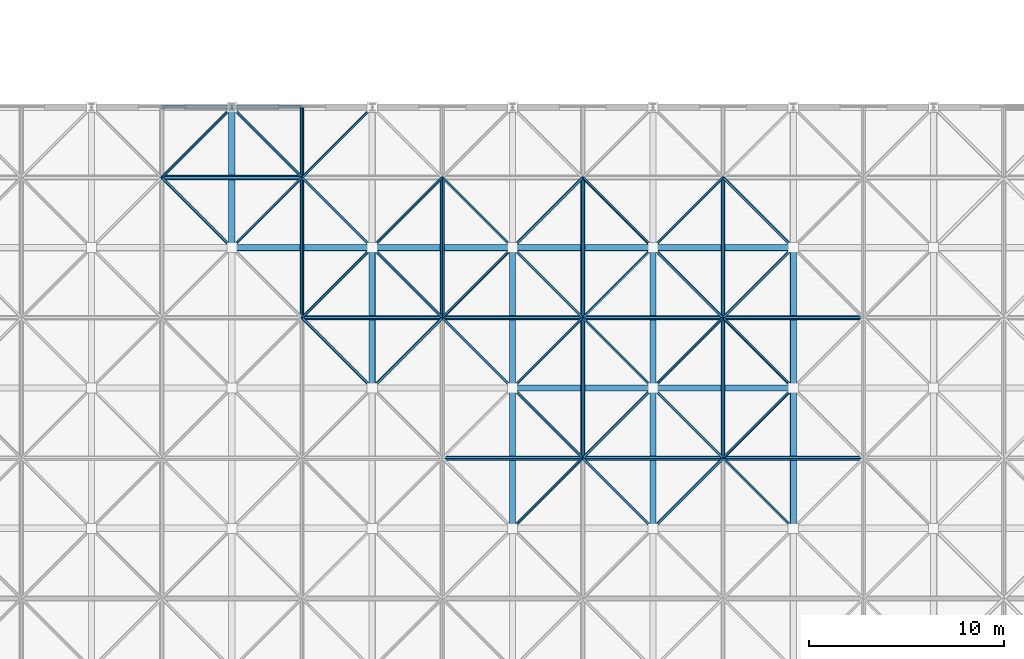
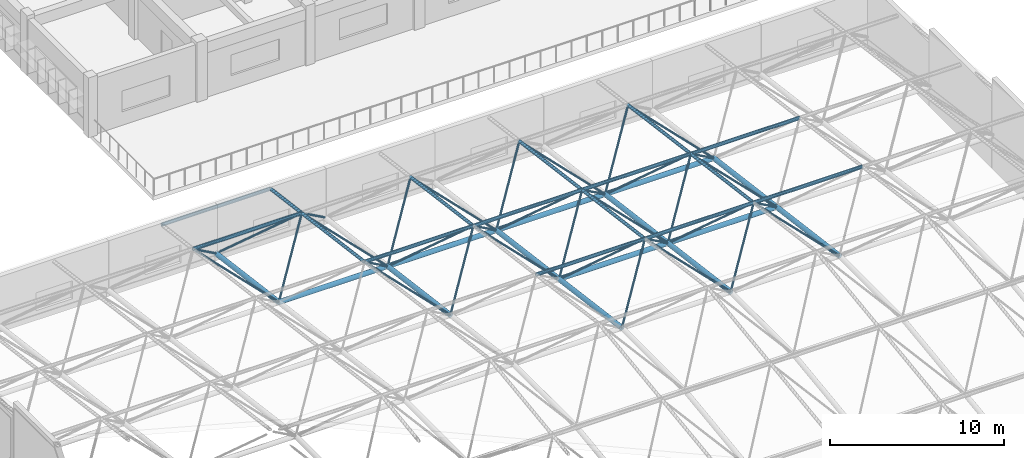
# One storey, part 56 of 103: 64 members.
"""IFC4 building model written with IfcOpenShell, lengths in metres."""

from ifc_helpers import new_model, si_unit, direction, frame, origin, origin_2d, place, context, subcontext, project, spatial, hollow_circle, extrude, material, material_profile, profile_set, type_object, element, save


model = new_model("IFC4")

# Units and contexts
model_context = context("Model", 3, precision=1e-05, world=origin(), true_north=direction((0.0, 1.0)))
body_context = subcontext(model_context, "Body", "Model", "MODEL_VIEW")
ifc_project = project(units=[si_unit("LENGTHUNIT", "METRE"), si_unit("AREAUNIT", "SQUARE_METRE"), si_unit("VOLUMEUNIT", "CUBIC_METRE"), si_unit("PLANEANGLEUNIT", "RADIAN"), si_unit("MASSUNIT", "GRAM", prefix="KILO")], contexts=[model_context])

# Site, building, storey
site_placement = place(None, origin())
site = spatial("IfcSite", under=ifc_project, at=site_placement, CompositionType="ELEMENT")
building_placement = place(site_placement, origin())
building = spatial("IfcBuilding", under=site, at=building_placement, Name="Thalmaran Polytechnic", CompositionType="ELEMENT")
storey_placement = place(building_placement, frame((0.0, 0.0, 14.39990234375)))
storey = spatial("IfcBuildingStorey", under=building, at=storey_placement, Name="L03", CompositionType="ELEMENT", Elevation=14.39990234375)

# Members
ifc_material = material(Name="Steel S355", Category="steel")
ifc_material_profile_1 = material_profile(ifc_material, hollow_circle(Radius=0.122314453125, WallThickness=0.010009765625, at=origin_2d()), Name="CHS 244.5x10.0")
ifc_profile_set_1 = profile_set([ifc_material_profile_1], Name="Steel S355")
member_type_1 = type_object("IfcMemberType", Name="MB-SFC1", PredefinedType="CHORD", material=ifc_profile_set_1)
for number, where, z_axis, x_axis, name in (
    (1, (126.0, 46.800048828125, 4.1240234375), (1.0, 0.0, 0.0), (0.0, 1.0, 0.0), "Space-Frame Top Chord X (3,8)"),
    (2, (126.0, 50.39990234375, 3.650146484375), (1.0, 0.0, 0.0), (0.0, 1.0, 0.0), "Space-Frame Top Chord X (3,9)"),
    (3, (133.199951171875, 39.60009765625, 5.072021484375), (1.0, 0.0, 0.0), (0.0, 1.0, 0.0), "Space-Frame Top Chord X (4,7)"),
):
    element("IfcMember", number, at=place(storey_placement, frame(where, z_axis=z_axis, x_axis=x_axis)), inside=storey, type_object=member_type_1, Name=name, PredefinedType="CHORD", context=body_context, shape_type="SweptSolid", body=[
        extrude(hollow_circle(Radius=0.122314453125, WallThickness=0.010009765625, at=origin_2d()), origin(), (0.0, 0.0, 1.0), 7.199951171875),
    ])
for number, where, z_axis, x_axis, name in (
    (4, (140.39990234375, 32.39990234375, 6.019775390625), (1.0, 0.0, 0.0), (0.0, 1.0, 0.0), "Space-Frame Top Chord X (5,6)"),
    (5, (140.39990234375, 39.60009765625, 5.072021484375), (1.0, 0.0, 0.0), (0.0, 1.0, 0.0), "Space-Frame Top Chord X (5,7)"),
):
    element("IfcMember", number, at=place(storey_placement, frame(where, z_axis=z_axis, x_axis=x_axis)), inside=storey, type_object=member_type_1, Name=name, PredefinedType="CHORD", context=body_context, shape_type="SweptSolid", body=[
        extrude(hollow_circle(Radius=0.122314453125, WallThickness=0.010009765625, at=origin_2d()), origin(), (0.0, 0.0, 1.0), 7.2001953125),
    ])
for number, where, z_axis, x_axis, name in (
    (6, (147.60009765625, 32.39990234375, 6.019775390625), (1.0, 0.0, 0.0), (0.0, 1.0, 0.0), "Space-Frame Top Chord X (6,6)"),
    (7, (147.60009765625, 39.60009765625, 5.072021484375), (1.0, 0.0, 0.0), (0.0, 1.0, 0.0), "Space-Frame Top Chord X (6,7)"),
    (8, (154.800048828125, 32.39990234375, 6.019775390625), (1.0, 0.0, 0.0), (0.0, 1.0, 0.0), "Space-Frame Top Chord X (7,6)"),
    (9, (154.800048828125, 39.60009765625, 5.072021484375), (1.0, 0.0, 0.0), (0.0, 1.0, 0.0), "Space-Frame Top Chord X (7,7)"),
):
    element("IfcMember", number, at=place(storey_placement, frame(where, z_axis=z_axis, x_axis=x_axis)), inside=storey, type_object=member_type_1, Name=name, PredefinedType="CHORD", context=body_context, shape_type="SweptSolid", body=[
        extrude(hollow_circle(Radius=0.122314453125, WallThickness=0.010009765625, at=origin_2d()), origin(), (0.0, 0.0, 1.0), 7.199951171875),
    ])
ifc_material_profile_2 = material_profile(ifc_material, hollow_circle(Radius=0.109619140625, WallThickness=0.010009765625, at=origin_2d()), Name="CHS 219.1x10.0")
ifc_profile_set_2 = profile_set([ifc_material_profile_2], Name="Steel S355")
member_type_2 = type_object("IfcMemberType", Name="MB-SFC2", PredefinedType="CHORD", material=ifc_profile_set_2)
member_1_placement = place(storey_placement, frame((133.199951171875, 39.60009765625, 5.072021484375), z_axis=(0.0, 0.991442963585, -0.130540606544), x_axis=(-1.0, 0.0, 0.0)))
element("IfcMember", 10, at=member_1_placement, inside=storey, type_object=member_type_2, Name="Space-Frame Top Chord Y (4,7)", PredefinedType="CHORD", context=body_context, shape_type="SweptSolid", body=[
    extrude(hollow_circle(Radius=0.109619140625, WallThickness=0.010009765625, at=origin_2d()), origin(), (0.0, 0.0, 1.0), 7.26220703125),
])
member_2_placement = place(storey_placement, frame((133.199951171875, 46.800048828125, 4.1240234375), z_axis=(0.0, 0.99144674145, -0.130511910828), x_axis=(-1.0, 0.0, 0.0)))
element("IfcMember", 11, at=member_2_placement, inside=storey, type_object=member_type_2, Name="Space-Frame Top Chord Y (4,8)", PredefinedType="CHORD", context=body_context, shape_type="SweptSolid", body=[
    extrude(hollow_circle(Radius=0.109619140625, WallThickness=0.010009765625, at=origin_2d()), origin(), (0.0, 0.0, 1.0), 3.630859375),
])
for number, where, z_axis, x_axis, name in (
    (12, (140.39990234375, 39.60009765625, 5.072021484375), (0.0, 0.991442963585, -0.130540606544), (-1.0, 0.0, 0.0), "Space-Frame Top Chord Y (5,7)"),
    (13, (147.60009765625, 32.39990234375, 6.019775390625), (0.0, 0.991447886651, -0.130503210904), (-1.0, 0.0, 0.0), "Space-Frame Top Chord Y (6,6)"),
    (14, (147.60009765625, 39.60009765625, 5.072021484375), (0.0, 0.991442963585, -0.130540606544), (-1.0, 0.0, 0.0), "Space-Frame Top Chord Y (6,7)"),
    (15, (154.800048828125, 32.39990234375, 6.019775390625), (0.0, 0.991447886651, -0.130503210904), (-1.0, 0.0, 0.0), "Space-Frame Top Chord Y (7,6)"),
    (16, (154.800048828125, 39.60009765625, 5.072021484375), (0.0, 0.991442963585, -0.130540606544), (-1.0, 0.0, 0.0), "Space-Frame Top Chord Y (7,7)"),
):
    element("IfcMember", number, at=place(storey_placement, frame(where, z_axis=z_axis, x_axis=x_axis)), inside=storey, type_object=member_type_2, Name=name, PredefinedType="CHORD", context=body_context, shape_type="SweptSolid", body=[
        extrude(hollow_circle(Radius=0.109619140625, WallThickness=0.010009765625, at=origin_2d()), origin(), (0.0, 0.0, 1.0), 7.26220703125),
    ])
ifc_material_profile_3 = material_profile(ifc_material, hollow_circle(Radius=0.161865234375, WallThickness=0.012451171875, at=origin_2d()), Name="CHS 323.9x12.5")
ifc_profile_set_3 = profile_set([ifc_material_profile_3], Name="Steel S355")
member_type_3 = type_object("IfcMemberType", Name="MB-SFC4", PredefinedType="CHORD", material=ifc_profile_set_3)
member_3_placement = place(storey_placement, frame((129.60009765625, 43.199951171875, 1.327880859375), z_axis=(1.0, 0.0, 0.0), x_axis=(0.0, 1.0, 0.0)))
element("IfcMember", 17, at=member_3_placement, inside=storey, type_object=member_type_3, Name="Space-Frame Bottom Chord X (3,7)", PredefinedType="CHORD", context=body_context, shape_type="SweptSolid", body=[
    extrude(hollow_circle(Radius=0.161865234375, WallThickness=0.012451171875, at=origin_2d()), origin(), (0.0, 0.0, 1.0), 7.199951171875),
])
member_4_placement = place(storey_placement, frame((129.60009765625, 43.199951171875, 1.327880859375), z_axis=(0.0, 0.991447314079, -0.130507560722), x_axis=(-1.0, 0.0, 0.0)))
element("IfcMember", 18, at=member_4_placement, inside=storey, type_object=member_type_3, Name="Space-Frame Bottom Chord Y (3,7)", PredefinedType="CHORD", context=body_context, shape_type="SweptSolid", body=[
    extrude(hollow_circle(Radius=0.161865234375, WallThickness=0.012451171875, at=origin_2d()), origin(), (0.0, 0.0, 1.0), 7.261962890625),
])
member_5_placement = place(storey_placement, frame((136.800048828125, 36.0, 2.27587890625), z_axis=(0.0, 0.991442963585, -0.130540606544), x_axis=(-1.0, 0.0, 0.0)))
element("IfcMember", 19, at=member_5_placement, inside=storey, type_object=member_type_3, Name="Space-Frame Bottom Chord Y (4,6)", PredefinedType="CHORD", context=body_context, shape_type="SweptSolid", body=[
    extrude(hollow_circle(Radius=0.161865234375, WallThickness=0.012451171875, at=origin_2d()), origin(), (0.0, 0.0, 1.0), 7.26220703125),
])
member_6_placement = place(storey_placement, frame((136.800048828125, 43.199951171875, 1.327880859375), z_axis=(1.0, 0.0, 0.0), x_axis=(0.0, 1.0, 0.0)))
element("IfcMember", 20, at=member_6_placement, inside=storey, type_object=member_type_3, Name="Space-Frame Bottom Chord X (4,7)", PredefinedType="CHORD", context=body_context, shape_type="SweptSolid", body=[
    extrude(hollow_circle(Radius=0.161865234375, WallThickness=0.012451171875, at=origin_2d()), origin(), (0.0, 0.0, 1.0), 7.199951171875),
])
member_7_placement = place(storey_placement, frame((144.0, 28.800048828125, 3.223876953125), z_axis=(0.0, 0.991442963585, -0.130540606544), x_axis=(-1.0, 0.0, 0.0)))
element("IfcMember", 21, at=member_7_placement, inside=storey, type_object=member_type_3, Name="Space-Frame Bottom Chord Y (5,5)", PredefinedType="CHORD", context=body_context, shape_type="SweptSolid", body=[
    extrude(hollow_circle(Radius=0.161865234375, WallThickness=0.012451171875, at=origin_2d()), origin(), (0.0, 0.0, 1.0), 7.26220703125),
])
member_8_placement = place(storey_placement, frame((144.0, 36.0, 2.27587890625), z_axis=(1.0, 0.0, 0.0), x_axis=(0.0, 1.0, 0.0)))
element("IfcMember", 22, at=member_8_placement, inside=storey, type_object=member_type_3, Name="Space-Frame Bottom Chord X (5,6)", PredefinedType="CHORD", context=body_context, shape_type="SweptSolid", body=[
    extrude(hollow_circle(Radius=0.161865234375, WallThickness=0.012451171875, at=origin_2d()), origin(), (0.0, 0.0, 1.0), 7.199951171875),
])
member_9_placement = place(storey_placement, frame((144.0, 36.0, 2.27587890625), z_axis=(0.0, 0.991442963585, -0.130540606544), x_axis=(-1.0, 0.0, 0.0)))
element("IfcMember", 23, at=member_9_placement, inside=storey, type_object=member_type_3, Name="Space-Frame Bottom Chord Y (5,6)", PredefinedType="CHORD", context=body_context, shape_type="SweptSolid", body=[
    extrude(hollow_circle(Radius=0.161865234375, WallThickness=0.012451171875, at=origin_2d()), origin(), (0.0, 0.0, 1.0), 7.26220703125),
])
member_10_placement = place(storey_placement, frame((144.0, 43.199951171875, 1.327880859375), z_axis=(1.0, 0.0, 0.0), x_axis=(0.0, 1.0, 0.0)))
element("IfcMember", 24, at=member_10_placement, inside=storey, type_object=member_type_3, Name="Space-Frame Bottom Chord X (5,7)", PredefinedType="CHORD", context=body_context, shape_type="SweptSolid", body=[
    extrude(hollow_circle(Radius=0.161865234375, WallThickness=0.012451171875, at=origin_2d()), origin(), (0.0, 0.0, 1.0), 7.199951171875),
])
member_11_placement = place(storey_placement, frame((151.199951171875, 28.800048828125, 3.223876953125), z_axis=(0.0, 0.991442963585, -0.130540606544), x_axis=(-1.0, 0.0, 0.0)))
element("IfcMember", 25, at=member_11_placement, inside=storey, type_object=member_type_3, Name="Space-Frame Bottom Chord Y (6,5)", PredefinedType="CHORD", context=body_context, shape_type="SweptSolid", body=[
    extrude(hollow_circle(Radius=0.161865234375, WallThickness=0.012451171875, at=origin_2d()), origin(), (0.0, 0.0, 1.0), 7.26220703125),
])
member_12_placement = place(storey_placement, frame((151.199951171875, 36.0, 2.27587890625), z_axis=(1.0, 0.0, 0.0), x_axis=(0.0, 1.0, 0.0)))
element("IfcMember", 26, at=member_12_placement, inside=storey, type_object=member_type_3, Name="Space-Frame Bottom Chord X (6,6)", PredefinedType="CHORD", context=body_context, shape_type="SweptSolid", body=[
    extrude(hollow_circle(Radius=0.161865234375, WallThickness=0.012451171875, at=origin_2d()), origin(), (0.0, 0.0, 1.0), 7.199951171875),
])
member_13_placement = place(storey_placement, frame((151.199951171875, 36.0, 2.27587890625), z_axis=(0.0, 0.991442963585, -0.130540606544), x_axis=(-1.0, 0.0, 0.0)))
element("IfcMember", 27, at=member_13_placement, inside=storey, type_object=member_type_3, Name="Space-Frame Bottom Chord Y (6,6)", PredefinedType="CHORD", context=body_context, shape_type="SweptSolid", body=[
    extrude(hollow_circle(Radius=0.161865234375, WallThickness=0.012451171875, at=origin_2d()), origin(), (0.0, 0.0, 1.0), 7.26220703125),
])
member_14_placement = place(storey_placement, frame((151.199951171875, 43.199951171875, 1.327880859375), z_axis=(1.0, 0.0, 0.0), x_axis=(0.0, 1.0, 0.0)))
element("IfcMember", 28, at=member_14_placement, inside=storey, type_object=member_type_3, Name="Space-Frame Bottom Chord X (6,7)", PredefinedType="CHORD", context=body_context, shape_type="SweptSolid", body=[
    extrude(hollow_circle(Radius=0.161865234375, WallThickness=0.012451171875, at=origin_2d()), origin(), (0.0, 0.0, 1.0), 7.199951171875),
])
for number, where, z_axis, x_axis, name in (
    (29, (158.39990234375, 28.800048828125, 3.223876953125), (0.0, 0.991442963585, -0.130540606544), (-1.0, 0.0, 0.0), "Space-Frame Bottom Chord Y (7,5)"),
    (30, (158.39990234375, 36.0, 2.27587890625), (0.0, 0.991442963585, -0.130540606544), (-1.0, 0.0, 0.0), "Space-Frame Bottom Chord Y (7,6)"),
):
    element("IfcMember", number, at=place(storey_placement, frame(where, z_axis=z_axis, x_axis=x_axis)), inside=storey, type_object=member_type_3, Name=name, PredefinedType="CHORD", context=body_context, shape_type="SweptSolid", body=[
        extrude(hollow_circle(Radius=0.161865234375, WallThickness=0.012451171875, at=origin_2d()), origin(), (0.0, 0.0, 1.0), 7.26220703125),
    ])
ifc_material_profile_4 = material_profile(ifc_material, hollow_circle(Radius=0.06982421875, WallThickness=0.008056640625, at=origin_2d()), Name="CHS 139.7x8.0")
ifc_profile_set_4 = profile_set([ifc_material_profile_4], Name="Steel S355")
member_type_4 = type_object("IfcMemberType", Name="MB-SFD2", PredefinedType="BRACE", material=ifc_profile_set_4)
member_15_placement = place(storey_placement, frame((129.60009765625, 43.199951171875, 1.327880859375), z_axis=(-0.619787629222, 0.619787629222, 0.481379880475), x_axis=(-0.707106781187, -0.707106781187, 0.0)))
element("IfcMember", 31, at=member_15_placement, inside=storey, type_object=member_type_4, Name="Space-Frame Web Diagonal (2,7)-2", PredefinedType="BRACE", context=body_context, shape_type="SweptSolid", body=[
    extrude(hollow_circle(Radius=0.06982421875, WallThickness=0.008056640625, at=origin_2d()), origin(), (0.0, 0.0, 1.0), 5.80859375),
])
member_16_placement = place(storey_placement, frame((129.60009765625, 50.39990234375, 0.380126953125), z_axis=(-0.569678427494, -0.569639794751, 0.592433113089), x_axis=(0.707082803744, -0.707130757816, 0.0)))
element("IfcMember", 32, at=member_16_placement, inside=storey, type_object=member_type_4, Name="Space-Frame Web Diagonal (2,7)-4", PredefinedType="BRACE", context=body_context, shape_type="SweptSolid", body=[
    extrude(hollow_circle(Radius=0.06982421875, WallThickness=0.008056640625, at=origin_2d()), origin(), (0.0, 0.0, 1.0), 6.319580078125),
])
member_17_placement = place(storey_placement, frame((136.800048828125, 36.0, 2.27587890625), z_axis=(-0.619787629222, 0.619787629222, 0.481379880475), x_axis=(-0.707106781187, -0.707106781187, 0.0)))
element("IfcMember", 33, at=member_17_placement, inside=storey, type_object=member_type_4, Name="Space-Frame Web Diagonal (3,6)-2", PredefinedType="BRACE", context=body_context, shape_type="SweptSolid", body=[
    extrude(hollow_circle(Radius=0.06982421875, WallThickness=0.008056640625, at=origin_2d()), origin(), (0.0, 0.0, 1.0), 5.80859375),
])
member_18_placement = place(storey_placement, frame((136.800048828125, 43.199951171875, 1.327880859375), z_axis=(-0.569665389106, -0.569626757247, 0.592458185768), x_axis=(0.707082803744, -0.707130757816, 0.0)))
element("IfcMember", 34, at=member_18_placement, inside=storey, type_object=member_type_4, Name="Space-Frame Web Diagonal (3,6)-4", PredefinedType="BRACE", context=body_context, shape_type="SweptSolid", body=[
    extrude(hollow_circle(Radius=0.06982421875, WallThickness=0.008056640625, at=origin_2d()), origin(), (0.0, 0.0, 1.0), 6.319580078125),
])
member_19_placement = place(storey_placement, frame((129.60009765625, 43.199951171875, 1.327880859375), z_axis=(0.619761742923, 0.619803774917, 0.481392420597), x_axis=(-0.707130757816, 0.707082803744, 0.0)))
element("IfcMember", 35, at=member_19_placement, inside=storey, type_object=member_type_4, Name="Space-Frame Web Diagonal (3,7)-1", PredefinedType="BRACE", context=body_context, shape_type="SweptSolid", body=[
    extrude(hollow_circle(Radius=0.06982421875, WallThickness=0.008056640625, at=origin_2d()), origin(), (0.0, 0.0, 1.0), 5.808349609375),
])
member_20_placement = place(storey_placement, frame((136.800048828125, 43.199951171875, 1.327880859375), z_axis=(-0.619787629222, 0.619787629222, 0.481379880475), x_axis=(-0.707106781187, -0.707106781187, 0.0)))
element("IfcMember", 36, at=member_20_placement, inside=storey, type_object=member_type_4, Name="Space-Frame Web Diagonal (3,7)-2", PredefinedType="BRACE", context=body_context, shape_type="SweptSolid", body=[
    extrude(hollow_circle(Radius=0.06982421875, WallThickness=0.008056640625, at=origin_2d()), origin(), (0.0, 0.0, 1.0), 5.80859375),
])
member_21_placement = place(storey_placement, frame((129.60009765625, 50.39990234375, 0.380126953125), z_axis=(0.569652331509, -0.569652331509, 0.592446151488), x_axis=(0.707106781187, 0.707106781187, 0.0)))
element("IfcMember", 37, at=member_21_placement, inside=storey, type_object=member_type_4, Name="Space-Frame Web Diagonal (3,7)-3", PredefinedType="BRACE", context=body_context, shape_type="SweptSolid", body=[
    extrude(hollow_circle(Radius=0.06982421875, WallThickness=0.008056640625, at=origin_2d()), origin(), (0.0, 0.0, 1.0), 6.3193359375),
])
member_22_placement = place(storey_placement, frame((136.800048828125, 50.39990234375, 0.380126953125), z_axis=(-0.569678427494, -0.569639794751, 0.592433113089), x_axis=(0.707082803744, -0.707130757816, 0.0)))
element("IfcMember", 38, at=member_22_placement, inside=storey, type_object=member_type_4, Name="Space-Frame Web Diagonal (3,7)-4", PredefinedType="BRACE", context=body_context, shape_type="SweptSolid", body=[
    extrude(hollow_circle(Radius=0.06982421875, WallThickness=0.008056640625, at=origin_2d()), origin(), (0.0, 0.0, 1.0), 6.319580078125),
])
member_23_placement = place(storey_placement, frame((136.800048828125, 36.0, 2.27587890625), z_axis=(0.619761742923, 0.619803774917, 0.481392420597), x_axis=(-0.707130757816, 0.707082803744, 0.0)))
element("IfcMember", 39, at=member_23_placement, inside=storey, type_object=member_type_4, Name="Space-Frame Web Diagonal (4,6)-1", PredefinedType="BRACE", context=body_context, shape_type="SweptSolid", body=[
    extrude(hollow_circle(Radius=0.06982421875, WallThickness=0.008056640625, at=origin_2d()), origin(), (0.0, 0.0, 1.0), 5.808349609375),
])
member_24_placement = place(storey_placement, frame((144.0, 36.0, 2.27587890625), z_axis=(-0.619787629222, 0.619787629222, 0.481379880475), x_axis=(-0.707106781187, -0.707106781187, 0.0)))
element("IfcMember", 40, at=member_24_placement, inside=storey, type_object=member_type_4, Name="Space-Frame Web Diagonal (4,6)-2", PredefinedType="BRACE", context=body_context, shape_type="SweptSolid", body=[
    extrude(hollow_circle(Radius=0.06982421875, WallThickness=0.008056640625, at=origin_2d()), origin(), (0.0, 0.0, 1.0), 5.80859375),
])
for number, where, z_axis, x_axis, name in (
    (41, (136.800048828125, 43.199951171875, 1.327880859375), (0.569639293145, -0.569639293145, 0.592471224121), (0.707106781187, 0.707106781187, 0.0), "Space-Frame Web Diagonal (4,6)-3"),
    (42, (144.0, 43.199951171875, 1.327880859375), (-0.569665389106, -0.569626757247, 0.592458185768), (0.707082803744, -0.707130757816, 0.0), "Space-Frame Web Diagonal (4,6)-4"),
):
    element("IfcMember", number, at=place(storey_placement, frame(where, z_axis=z_axis, x_axis=x_axis)), inside=storey, type_object=member_type_4, Name=name, PredefinedType="BRACE", context=body_context, shape_type="SweptSolid", body=[
        extrude(hollow_circle(Radius=0.06982421875, WallThickness=0.008056640625, at=origin_2d()), origin(), (0.0, 0.0, 1.0), 6.319580078125),
    ])
member_25_placement = place(storey_placement, frame((136.800048828125, 43.199951171875, 1.327880859375), z_axis=(0.619761742923, 0.619803774917, 0.481392420597), x_axis=(-0.707130757816, 0.707082803744, 0.0)))
element("IfcMember", 43, at=member_25_placement, inside=storey, type_object=member_type_4, Name="Space-Frame Web Diagonal (4,7)-1", PredefinedType="BRACE", context=body_context, shape_type="SweptSolid", body=[
    extrude(hollow_circle(Radius=0.06982421875, WallThickness=0.008056640625, at=origin_2d()), origin(), (0.0, 0.0, 1.0), 5.808349609375),
])
member_26_placement = place(storey_placement, frame((144.0, 43.199951171875, 1.327880859375), z_axis=(-0.619787629222, 0.619787629222, 0.481379880475), x_axis=(-0.707106781187, -0.707106781187, 0.0)))
element("IfcMember", 44, at=member_26_placement, inside=storey, type_object=member_type_4, Name="Space-Frame Web Diagonal (4,7)-2", PredefinedType="BRACE", context=body_context, shape_type="SweptSolid", body=[
    extrude(hollow_circle(Radius=0.06982421875, WallThickness=0.008056640625, at=origin_2d()), origin(), (0.0, 0.0, 1.0), 5.80859375),
])
member_27_placement = place(storey_placement, frame((144.0, 28.800048828125, 3.223876953125), z_axis=(0.619816315787, 0.619774282943, 0.481360128061), x_axis=(-0.707082803744, 0.707130757816, 0.0)))
element("IfcMember", 45, at=member_27_placement, inside=storey, type_object=member_type_4, Name="Space-Frame Web Diagonal (5,5)-1", PredefinedType="BRACE", context=body_context, shape_type="SweptSolid", body=[
    extrude(hollow_circle(Radius=0.06982421875, WallThickness=0.008056640625, at=origin_2d()), origin(), (0.0, 0.0, 1.0), 5.808349609375),
])
member_28_placement = place(storey_placement, frame((151.199951171875, 28.800048828125, 3.223876953125), z_axis=(-0.619790429784, 0.619790429784, 0.481372668829), x_axis=(-0.707106781187, -0.707106781187, 0.0)))
element("IfcMember", 46, at=member_28_placement, inside=storey, type_object=member_type_4, Name="Space-Frame Web Diagonal (5,5)-2", PredefinedType="BRACE", context=body_context, shape_type="SweptSolid", body=[
    extrude(hollow_circle(Radius=0.06982421875, WallThickness=0.008056640625, at=origin_2d()), origin(), (0.0, 0.0, 1.0), 5.80810546875),
])
for number, where, z_axis, x_axis, name in (
    (47, (144.0, 36.0, 2.27587890625), (0.569665890713, -0.569665890713, 0.592420075552), (0.707106781187, 0.707106781187, 0.0), "Space-Frame Web Diagonal (5,5)-3"),
    (48, (151.199951171875, 36.0, 2.27587890625), (-0.569639794751, -0.569678427494, 0.592433113089), (0.707130757816, -0.707082803744, 0.0), "Space-Frame Web Diagonal (5,5)-4"),
):
    element("IfcMember", number, at=place(storey_placement, frame(where, z_axis=z_axis, x_axis=x_axis)), inside=storey, type_object=member_type_4, Name=name, PredefinedType="BRACE", context=body_context, shape_type="SweptSolid", body=[
        extrude(hollow_circle(Radius=0.06982421875, WallThickness=0.008056640625, at=origin_2d()), origin(), (0.0, 0.0, 1.0), 6.319580078125),
    ])
member_29_placement = place(storey_placement, frame((144.0, 36.0, 2.27587890625), z_axis=(0.619787629222, 0.619787629222, 0.481379880475), x_axis=(-0.707106781187, 0.707106781187, 0.0)))
element("IfcMember", 49, at=member_29_placement, inside=storey, type_object=member_type_4, Name="Space-Frame Web Diagonal (5,6)-1", PredefinedType="BRACE", context=body_context, shape_type="SweptSolid", body=[
    extrude(hollow_circle(Radius=0.06982421875, WallThickness=0.008056640625, at=origin_2d()), origin(), (0.0, 0.0, 1.0), 5.80859375),
])
member_30_placement = place(storey_placement, frame((151.199951171875, 36.0, 2.27587890625), z_axis=(-0.619761742923, 0.619803774917, 0.481392420597), x_axis=(-0.707130757816, -0.707082803744, 0.0)))
element("IfcMember", 50, at=member_30_placement, inside=storey, type_object=member_type_4, Name="Space-Frame Web Diagonal (5,6)-2", PredefinedType="BRACE", context=body_context, shape_type="SweptSolid", body=[
    extrude(hollow_circle(Radius=0.06982421875, WallThickness=0.008056640625, at=origin_2d()), origin(), (0.0, 0.0, 1.0), 5.808349609375),
])
for number, where, z_axis, x_axis, name in (
    (51, (144.0, 43.199951171875, 1.327880859375), (0.569665389106, -0.569626757247, 0.592458185768), (0.707082803744, 0.707130757816, 0.0), "Space-Frame Web Diagonal (5,6)-3"),
    (52, (151.199951171875, 43.199951171875, 1.327880859375), (-0.569639293145, -0.569639293145, 0.592471224121), (0.707106781187, -0.707106781187, 0.0), "Space-Frame Web Diagonal (5,6)-4"),
):
    element("IfcMember", number, at=place(storey_placement, frame(where, z_axis=z_axis, x_axis=x_axis)), inside=storey, type_object=member_type_4, Name=name, PredefinedType="BRACE", context=body_context, shape_type="SweptSolid", body=[
        extrude(hollow_circle(Radius=0.06982421875, WallThickness=0.008056640625, at=origin_2d()), origin(), (0.0, 0.0, 1.0), 6.319580078125),
    ])
member_31_placement = place(storey_placement, frame((144.0, 43.199951171875, 1.327880859375), z_axis=(0.619787629222, 0.619787629222, 0.481379880475), x_axis=(-0.707106781187, 0.707106781187, 0.0)))
element("IfcMember", 53, at=member_31_placement, inside=storey, type_object=member_type_4, Name="Space-Frame Web Diagonal (5,7)-1", PredefinedType="BRACE", context=body_context, shape_type="SweptSolid", body=[
    extrude(hollow_circle(Radius=0.06982421875, WallThickness=0.008056640625, at=origin_2d()), origin(), (0.0, 0.0, 1.0), 5.80859375),
])
for number, where, z_axis, x_axis, name in (
    (54, (151.199951171875, 43.199951171875, 1.327880859375), (-0.619761742923, 0.619803774917, 0.481392420597), (-0.707130757816, -0.707082803744, 0.0), "Space-Frame Web Diagonal (5,7)-2"),
    (55, (151.199951171875, 28.800048828125, 3.223876953125), (0.619816315787, 0.619774282943, 0.481360128061), (-0.707082803744, 0.707130757816, 0.0), "Space-Frame Web Diagonal (6,5)-1"),
):
    element("IfcMember", number, at=place(storey_placement, frame(where, z_axis=z_axis, x_axis=x_axis)), inside=storey, type_object=member_type_4, Name=name, PredefinedType="BRACE", context=body_context, shape_type="SweptSolid", body=[
        extrude(hollow_circle(Radius=0.06982421875, WallThickness=0.008056640625, at=origin_2d()), origin(), (0.0, 0.0, 1.0), 5.808349609375),
    ])
member_32_placement = place(storey_placement, frame((158.39990234375, 28.800048828125, 3.223876953125), z_axis=(-0.619790429784, 0.619790429784, 0.481372668829), x_axis=(-0.707106781187, -0.707106781187, 0.0)))
element("IfcMember", 56, at=member_32_placement, inside=storey, type_object=member_type_4, Name="Space-Frame Web Diagonal (6,5)-2", PredefinedType="BRACE", context=body_context, shape_type="SweptSolid", body=[
    extrude(hollow_circle(Radius=0.06982421875, WallThickness=0.008056640625, at=origin_2d()), origin(), (0.0, 0.0, 1.0), 5.80810546875),
])
for number, where, z_axis, x_axis, name in (
    (57, (151.199951171875, 36.0, 2.27587890625), (0.569665890713, -0.569665890713, 0.592420075552), (0.707106781187, 0.707106781187, 0.0), "Space-Frame Web Diagonal (6,5)-3"),
    (58, (158.39990234375, 36.0, 2.27587890625), (-0.569639794751, -0.569678427494, 0.592433113089), (0.707130757816, -0.707082803744, 0.0), "Space-Frame Web Diagonal (6,5)-4"),
):
    element("IfcMember", number, at=place(storey_placement, frame(where, z_axis=z_axis, x_axis=x_axis)), inside=storey, type_object=member_type_4, Name=name, PredefinedType="BRACE", context=body_context, shape_type="SweptSolid", body=[
        extrude(hollow_circle(Radius=0.06982421875, WallThickness=0.008056640625, at=origin_2d()), origin(), (0.0, 0.0, 1.0), 6.319580078125),
    ])
member_33_placement = place(storey_placement, frame((151.199951171875, 36.0, 2.27587890625), z_axis=(0.619787629222, 0.619787629222, 0.481379880475), x_axis=(-0.707106781187, 0.707106781187, 0.0)))
element("IfcMember", 59, at=member_33_placement, inside=storey, type_object=member_type_4, Name="Space-Frame Web Diagonal (6,6)-1", PredefinedType="BRACE", context=body_context, shape_type="SweptSolid", body=[
    extrude(hollow_circle(Radius=0.06982421875, WallThickness=0.008056640625, at=origin_2d()), origin(), (0.0, 0.0, 1.0), 5.80859375),
])
member_34_placement = place(storey_placement, frame((158.39990234375, 36.0, 2.27587890625), z_axis=(-0.619761742923, 0.619803774917, 0.481392420597), x_axis=(-0.707130757816, -0.707082803744, 0.0)))
element("IfcMember", 60, at=member_34_placement, inside=storey, type_object=member_type_4, Name="Space-Frame Web Diagonal (6,6)-2", PredefinedType="BRACE", context=body_context, shape_type="SweptSolid", body=[
    extrude(hollow_circle(Radius=0.06982421875, WallThickness=0.008056640625, at=origin_2d()), origin(), (0.0, 0.0, 1.0), 5.808349609375),
])
for number, where, z_axis, x_axis, name in (
    (61, (151.199951171875, 43.199951171875, 1.327880859375), (0.569665389106, -0.569626757247, 0.592458185768), (0.707082803744, 0.707130757816, 0.0), "Space-Frame Web Diagonal (6,6)-3"),
    (62, (158.39990234375, 43.199951171875, 1.327880859375), (-0.569639293145, -0.569639293145, 0.592471224121), (0.707106781187, -0.707106781187, 0.0), "Space-Frame Web Diagonal (6,6)-4"),
):
    element("IfcMember", number, at=place(storey_placement, frame(where, z_axis=z_axis, x_axis=x_axis)), inside=storey, type_object=member_type_4, Name=name, PredefinedType="BRACE", context=body_context, shape_type="SweptSolid", body=[
        extrude(hollow_circle(Radius=0.06982421875, WallThickness=0.008056640625, at=origin_2d()), origin(), (0.0, 0.0, 1.0), 6.319580078125),
    ])
member_35_placement = place(storey_placement, frame((151.199951171875, 43.199951171875, 1.327880859375), z_axis=(0.619787629222, 0.619787629222, 0.481379880475), x_axis=(-0.707106781187, 0.707106781187, 0.0)))
element("IfcMember", 63, at=member_35_placement, inside=storey, type_object=member_type_4, Name="Space-Frame Web Diagonal (6,7)-1", PredefinedType="BRACE", context=body_context, shape_type="SweptSolid", body=[
    extrude(hollow_circle(Radius=0.06982421875, WallThickness=0.008056640625, at=origin_2d()), origin(), (0.0, 0.0, 1.0), 5.80859375),
])
member_36_placement = place(storey_placement, frame((158.39990234375, 43.199951171875, 1.327880859375), z_axis=(-0.619761742923, 0.619803774917, 0.481392420597), x_axis=(-0.707130757816, -0.707082803744, 0.0)))
element("IfcMember", 64, at=member_36_placement, inside=storey, type_object=member_type_4, Name="Space-Frame Web Diagonal (6,7)-2", PredefinedType="BRACE", context=body_context, shape_type="SweptSolid", body=[
    extrude(hollow_circle(Radius=0.06982421875, WallThickness=0.008056640625, at=origin_2d()), origin(), (0.0, 0.0, 1.0), 5.808349609375),
])

save(model, "model.ifc")
